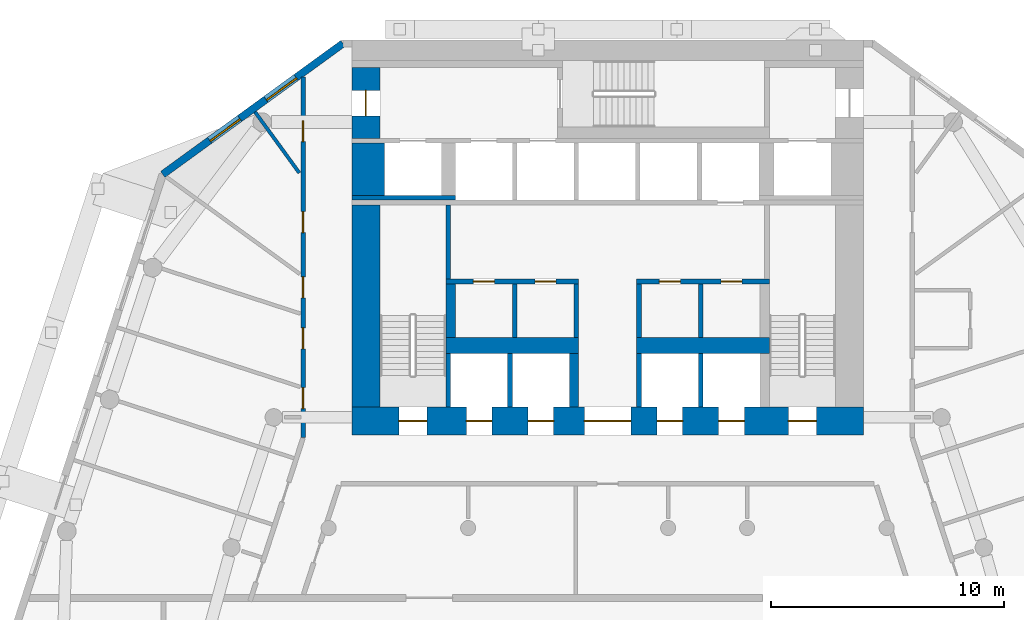
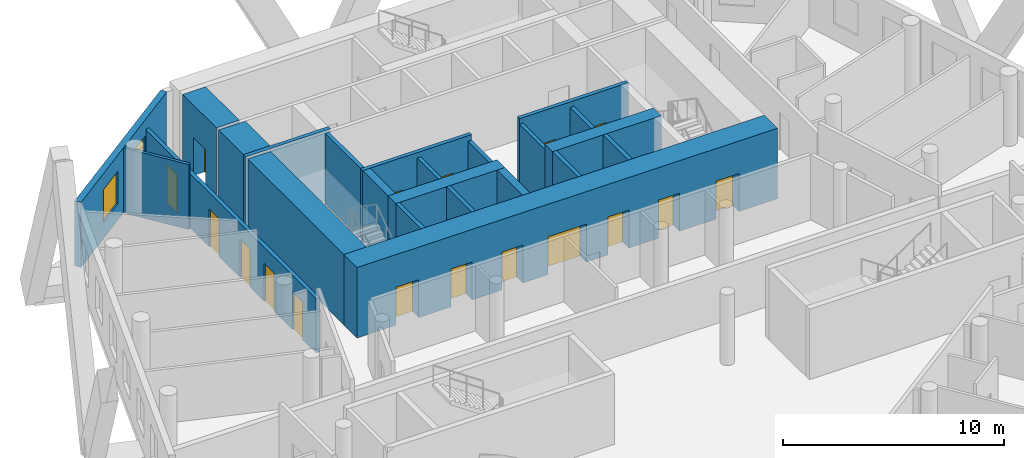
# One storey, part 6 of 10: 23 walls, 17 doors, 2 windows, 19 openings.
"""IFC4 building model written with IfcOpenShell, lengths in metres."""

from ifc_helpers import new_model, si_unit, direction, frame, frame_2d, origin, place, context, subcontext, project, spatial, rectangle, extrude, material, layer, layer_set, type_object, element, fill, save


model = new_model("IFC4")

# Units and contexts
model_context = context("Model", 3, precision=1e-05, world=origin(), true_north=direction((0.0, 1.0)))
body_context = subcontext(model_context, "Body", "Model", "MODEL_VIEW")
ifc_project = project(units=[si_unit("LENGTHUNIT", "METRE"), si_unit("AREAUNIT", "SQUARE_METRE"), si_unit("VOLUMEUNIT", "CUBIC_METRE"), si_unit("PLANEANGLEUNIT", "RADIAN"), si_unit("MASSUNIT", "GRAM", prefix="KILO")], contexts=[model_context])

# Site, building, storey
site_placement = place(None, origin())
site = spatial("IfcSite", under=ifc_project, at=site_placement, CompositionType="ELEMENT")
building_placement = place(site_placement, origin())
building = spatial("IfcBuilding", under=site, at=building_placement, Name="White Candle Pilgrim Tower", CompositionType="ELEMENT")
storey_placement = place(building_placement, frame((0.0, 0.0, 42.89990234375)))
storey = spatial("IfcBuildingStorey", under=building, at=storey_placement, Name="L07", CompositionType="ELEMENT", Elevation=42.89990234375)

# Wall, opening, door
ifc_material_1 = material(Name="Concrete C70/85", Category="concrete")
ifc_layer_1 = layer(ifc_material_1, 1.199951171875)
ifc_layer_set_1 = layer_set([ifc_layer_1], Name="Core wall 1200 mm Concrete C70/85")
wall_type_1 = type_object("IfcWallType", Name="Core wall 1200 mm Concrete C70/85", PredefinedType="SHEAR", material=ifc_layer_set_1)
wall_1_placement = place(storey_placement, frame((59.60009765625, 83.75, 0.0), z_axis=(0.0, 0.0, 1.0), x_axis=(0.0, 1.0, 0.0)))
wall_1 = element("IfcWall", 1, at=wall_1_placement, inside=storey, type_object=wall_type_1, Name="WL-L07-C44", PredefinedType="SHEAR", context=body_context, shape_type="SweptSolid", body=[
    extrude(rectangle(XDim=3.050048828125, YDim=1.199951171875, at=frame_2d((1.52490234375, 0.0))), origin(), (0.0, 0.0, 1.0), 3.900146484375),
])
opening_1_placement = place(wall_1_placement, frame((0.97509765625, 0.0, 0.0)))
opening_1 = element("IfcOpeningElement", 2, at=opening_1_placement, cuts=wall_1, Name="Opening T02-005", PredefinedType="OPENING", context=body_context, shape_type="SweptSolid", body=[
    extrude(rectangle(XDim=1.10009765625, YDim=2.10009765625, at=frame_2d((0.550048828125, 1.050048828125))), frame((0.0, 0.60986328125, 0.0), z_axis=(0.0, -1.0, 0.0), x_axis=(1.0, 0.0, 0.0)), (0.0, 0.0, 1.0), 1.219970703125),
])
ifc_material_2 = material(Name="Steel door leaf", Category="steel")
door_type_1 = type_object("IfcDoorType", Name="Fire door 1100 x 2100 EI 60", OperationType="NOTDEFINED", PredefinedType="DOOR", material=ifc_material_2)
door_1_placement = place(opening_1_placement, origin())
door_1 = element("IfcDoor", 3, at=door_1_placement, inside=storey, type_object=door_type_1, Name="Door T02-005", OperationType="SINGLE_SWING_LEFT", OverallHeight=2.10009765625, OverallWidth=1.10009765625, PredefinedType="DOOR", context=body_context, shape_type="SweptSolid", body=[
    extrude(rectangle(XDim=1.10009765625, YDim=2.10009765625, at=frame_2d((0.550048828125, 1.050048828125))), frame((0.0, 0.02490234375, 0.0), z_axis=(0.0, -1.0, 0.0), x_axis=(1.0, 0.0, 0.0)), (0.0, 0.0, 1.0), 0.050048828125),
])
fill(opening_1, door_1)

# Walls
ifc_layer_2 = layer(ifc_material_1, 1.39990234375)
ifc_layer_set_2 = layer_set([ifc_layer_2], Name="Core wall 1400 mm Concrete C70/85")
wall_type_2 = type_object("IfcWallType", Name="Core wall 1400 mm Concrete C70/85", PredefinedType="SHEAR", material=ifc_layer_set_2)
wall_2_placement = place(storey_placement, frame((59.699951171875, 81.300048828125, 0.0), z_axis=(0.0, 0.0, 1.0), x_axis=(0.0, 1.0, 0.0)))
element("IfcWall", 4, at=wall_2_placement, inside=storey, type_object=wall_type_2, Name="WL-L07-C39", PredefinedType="SHEAR", context=body_context, shape_type="SweptSolid", body=[
    extrude(rectangle(XDim=2.25, YDim=1.39990234375, at=frame_2d((1.125, 0.0))), origin(), (0.0, 0.0, 1.0), 3.900146484375),
])
ifc_layer_3 = layer(ifc_material_1, 0.199951171875)
ifc_layer_set_3 = layer_set([ifc_layer_3], Name="Core wall 200 mm Concrete C70/85")
wall_type_3 = type_object("IfcWallType", Name="Core wall 200 mm Concrete C70/85", PredefinedType="SHEAR", material=ifc_layer_set_3)
wall_3_placement = place(storey_placement, frame((59.0, 81.199951171875, 0.0), z_axis=(0.0, 0.0, 1.0), x_axis=(1.0, 0.0, 0.0)))
element("IfcWall", 5, at=wall_3_placement, inside=storey, type_object=wall_type_3, Name="WL-L07-C33", PredefinedType="SHEAR", context=body_context, shape_type="SweptSolid", body=[
    extrude(rectangle(XDim=4.449951171875, YDim=0.199951171875, at=frame_2d((2.22509765625, 0.0))), origin(), (0.0, 0.0, 1.0), 3.900146484375),
])

# Wall, openings, doors
ifc_material_3 = material(Name="Gypsum board on steel studs", Category="steel")
ifc_layer_4 = layer(ifc_material_3, 0.199951171875)
ifc_layer_set_4 = layer_set([ifc_layer_4], Name="Corridor wall 200 mm EI 45")
wall_type_4 = type_object("IfcWallType", Name="Corridor wall 200 mm EI 45", PredefinedType="PARTITIONING", material=ifc_layer_set_4)
wall_4_placement = place(storey_placement, frame((56.89990234375, 70.8974609375, 0.0), z_axis=(0.0, 0.0, 1.0), x_axis=(0.0, 1.0, 0.0)))
wall_4 = element("IfcWall", 6, at=wall_4_placement, inside=storey, type_object=wall_type_4, Name="WL-L07-P003", PredefinedType="PARTITIONING", context=body_context, shape_type="SweptSolid", body=[
    extrude(rectangle(XDim=15.498779296875, YDim=0.199951171875, at=frame_2d((7.74951171875, 0.0))), origin(), (0.0, 0.0, 1.0), 3.0),
])
opening_2_placement = place(wall_4_placement, frame((1.242919921875, 0.0, 0.0)))
opening_2 = element("IfcOpeningElement", 7, at=opening_2_placement, cuts=wall_4, Name="Opening T02-122", PredefinedType="OPENING", context=body_context, shape_type="SweptSolid", body=[
    extrude(rectangle(XDim=0.89990234375, YDim=2.10009765625, at=frame_2d((0.449951171875, 1.050048828125))), frame((0.0, 0.10986328125, 0.0), z_axis=(0.0, -1.0, 0.0), x_axis=(1.0, 0.0, 0.0)), (0.0, 0.0, 1.0), 0.219970703125),
])
opening_3_placement = place(wall_4_placement, frame((3.813232421875, 0.0, 0.0)))
opening_3 = element("IfcOpeningElement", 8, at=opening_3_placement, cuts=wall_4, Name="Opening T02-123", PredefinedType="OPENING", context=body_context, shape_type="SweptSolid", body=[
    extrude(rectangle(XDim=0.89990234375, YDim=2.10009765625, at=frame_2d((0.449951171875, 1.050048828125))), frame((0.0, 0.10986328125, 0.0), z_axis=(0.0, -1.0, 0.0), x_axis=(1.0, 0.0, 0.0)), (0.0, 0.0, 1.0), 0.219970703125),
])
opening_4_placement = place(wall_4_placement, frame((6.005615234375, 0.0, 0.0)))
opening_4 = element("IfcOpeningElement", 9, at=opening_4_placement, cuts=wall_4, Name="Opening T02-124", PredefinedType="OPENING", context=body_context, shape_type="SweptSolid", body=[
    extrude(rectangle(XDim=0.89990234375, YDim=2.10009765625, at=frame_2d((0.449951171875, 1.050048828125))), frame((0.0, 0.10986328125, 0.0), z_axis=(0.0, -1.0, 0.0), x_axis=(1.0, 0.0, 0.0)), (0.0, 0.0, 1.0), 0.219970703125),
])
opening_5_placement = place(wall_4_placement, frame((8.80615234375, 0.0, 0.0)))
opening_5 = element("IfcOpeningElement", 10, at=opening_5_placement, cuts=wall_4, Name="Opening T02-125", PredefinedType="OPENING", context=body_context, shape_type="SweptSolid", body=[
    extrude(rectangle(XDim=0.89990234375, YDim=2.10009765625, at=frame_2d((0.449951171875, 1.050048828125))), frame((0.0, 0.10986328125, 0.0), z_axis=(0.0, -1.0, 0.0), x_axis=(1.0, 0.0, 0.0)), (0.0, 0.0, 1.0), 0.219970703125),
])
opening_6_placement = place(wall_4_placement, frame((12.72412109375, 0.0, 0.0)))
opening_6 = element("IfcOpeningElement", 11, at=opening_6_placement, cuts=wall_4, Name="Opening T02-126", PredefinedType="OPENING", context=body_context, shape_type="SweptSolid", body=[
    extrude(rectangle(XDim=0.89990234375, YDim=2.10009765625, at=frame_2d((0.449951171875, 1.050048828125))), frame((0.0, 0.10986328125, 0.0), z_axis=(0.0, -1.0, 0.0), x_axis=(1.0, 0.0, 0.0)), (0.0, 0.0, 1.0), 0.219970703125),
])
door_type_2 = type_object("IfcDoorType", Name="Fire door 900 x 2100 EI 30", OperationType="NOTDEFINED", PredefinedType="DOOR", material=ifc_material_2)
door_2_placement = place(opening_2_placement, origin())
door_2 = element("IfcDoor", 12, at=door_2_placement, inside=storey, type_object=door_type_2, Name="Door T02-122", OperationType="SINGLE_SWING_RIGHT", OverallHeight=2.10009765625, OverallWidth=0.89990234375, PredefinedType="DOOR", context=body_context, shape_type="SweptSolid", body=[
    extrude(rectangle(XDim=0.89990234375, YDim=2.10009765625, at=frame_2d((0.449951171875, 1.050048828125))), frame((0.0, 0.02490234375, 0.0), z_axis=(0.0, -1.0, 0.0), x_axis=(1.0, 0.0, 0.0)), (0.0, 0.0, 1.0), 0.050048828125),
])
fill(opening_2, door_2)
door_3_placement = place(opening_3_placement, origin())
door_3 = element("IfcDoor", 13, at=door_3_placement, inside=storey, type_object=door_type_2, Name="Door T02-123", OperationType="SINGLE_SWING_LEFT", OverallHeight=2.10009765625, OverallWidth=0.89990234375, PredefinedType="DOOR", context=body_context, shape_type="SweptSolid", body=[
    extrude(rectangle(XDim=0.89990234375, YDim=2.10009765625, at=frame_2d((0.449951171875, 1.050048828125))), frame((0.0, 0.02490234375, 0.0), z_axis=(0.0, -1.0, 0.0), x_axis=(1.0, 0.0, 0.0)), (0.0, 0.0, 1.0), 0.050048828125),
])
fill(opening_3, door_3)
door_4_placement = place(opening_4_placement, origin())
door_4 = element("IfcDoor", 14, at=door_4_placement, inside=storey, type_object=door_type_2, Name="Door T02-124", OperationType="SINGLE_SWING_RIGHT", OverallHeight=2.10009765625, OverallWidth=0.89990234375, PredefinedType="DOOR", context=body_context, shape_type="SweptSolid", body=[
    extrude(rectangle(XDim=0.89990234375, YDim=2.10009765625, at=frame_2d((0.449951171875, 1.050048828125))), frame((0.0, 0.02490234375, 0.0), z_axis=(0.0, -1.0, 0.0), x_axis=(1.0, 0.0, 0.0)), (0.0, 0.0, 1.0), 0.050048828125),
])
fill(opening_4, door_4)
door_5_placement = place(opening_5_placement, origin())
door_5 = element("IfcDoor", 15, at=door_5_placement, inside=storey, type_object=door_type_2, Name="Door T02-125", OperationType="SINGLE_SWING_LEFT", OverallHeight=2.10009765625, OverallWidth=0.89990234375, PredefinedType="DOOR", context=body_context, shape_type="SweptSolid", body=[
    extrude(rectangle(XDim=0.89990234375, YDim=2.10009765625, at=frame_2d((0.449951171875, 1.050048828125))), frame((0.0, 0.02490234375, 0.0), z_axis=(0.0, -1.0, 0.0), x_axis=(1.0, 0.0, 0.0)), (0.0, 0.0, 1.0), 0.050048828125),
])
fill(opening_5, door_5)
door_6_placement = place(opening_6_placement, origin())
door_6 = element("IfcDoor", 16, at=door_6_placement, inside=storey, type_object=door_type_2, Name="Door T02-126", OperationType="SINGLE_SWING_RIGHT", OverallHeight=2.10009765625, OverallWidth=0.89990234375, PredefinedType="DOOR", context=body_context, shape_type="SweptSolid", body=[
    extrude(rectangle(XDim=0.89990234375, YDim=2.10009765625, at=frame_2d((0.449951171875, 1.050048828125))), frame((0.0, 0.02490234375, 0.0), z_axis=(0.0, -1.0, 0.0), x_axis=(1.0, 0.0, 0.0)), (0.0, 0.0, 1.0), 0.050048828125),
])
fill(opening_6, door_6)

# Wall, openings, windows
ifc_material_4 = material(Name="Precast concrete C40/50", Category="concrete")
ifc_layer_5 = layer(ifc_material_4, 0.320068359375)
ifc_layer_set_5 = layer_set([ifc_layer_5], Name="Facade wall EW1 precast concrete C40/50 pier wall with timber-lined reveals")
wall_type_5 = type_object("IfcWallType", Name="Facade wall EW1 precast concrete C40/50 pier wall with timber-lined reveals", PredefinedType="SOLIDWALL", material=ifc_layer_set_5)
wall_5_placement = place(storey_placement, frame((58.614990234375, 87.840087890625, 0.0), z_axis=(0.0, 0.0, 1.0), x_axis=(-0.809021430096, -0.587779146998, 0.0)))
wall_5 = element("IfcWall", 17, at=wall_5_placement, inside=storey, type_object=wall_type_5, Name="Facade wall L07 NW chamfer", PredefinedType="SOLIDWALL", context=body_context, shape_type="SweptSolid", body=[
    extrude(rectangle(XDim=9.57958984375, YDim=0.320068359375, at=frame_2d((4.789794921875, 0.0))), origin(), (0.0, 0.0, 1.0), 3.60009765625),
])
opening_7_placement = place(wall_5_placement, frame((2.48974609375, 0.0, 0.89990234375)))
opening_7 = element("IfcOpeningElement", 18, at=opening_7_placement, cuts=wall_5, Name="Opening W2", PredefinedType="OPENING", context=body_context, shape_type="SweptSolid", body=[
    extrude(rectangle(XDim=1.60009765625, YDim=1.800048828125, at=frame_2d((0.800048828125, 0.89990234375))), frame((0.0, 0.169921875, 0.0), z_axis=(0.0, -1.0, 0.0), x_axis=(1.0, 0.0, 0.0)), (0.0, 0.0, 1.0), 0.340087890625),
])
opening_8_placement = place(wall_5_placement, frame((5.48974609375, 0.0, 0.89990234375)))
opening_8 = element("IfcOpeningElement", 19, at=opening_8_placement, cuts=wall_5, Name="Opening W2", PredefinedType="OPENING", context=body_context, shape_type="SweptSolid", body=[
    extrude(rectangle(XDim=1.60009765625, YDim=1.800048828125, at=frame_2d((0.800048828125, 0.89990234375))), frame((0.0, 0.169921875, 0.0), z_axis=(0.0, -1.0, 0.0), x_axis=(1.0, 0.0, 0.0)), (0.0, 0.0, 1.0), 0.340087890625),
])
ifc_material_5 = material(Name="Timber frame with triple glazing", Category="wood")
window_type = type_object("IfcWindowType", Name="Window W2 1600x1800 timber frame triple glazing", PartitioningType="SINGLE_PANEL", PredefinedType="WINDOW", material=ifc_material_5)
window_1_placement = place(opening_7_placement, origin())
window_1 = element("IfcWindow", 20, at=window_1_placement, inside=storey, type_object=window_type, Name="Window W2 L07 NW chamfer 1", OverallHeight=1.800048828125, OverallWidth=1.60009765625, PartitioningType="SINGLE_PANEL", PredefinedType="WINDOW", context=body_context, shape_type="SweptSolid", body=[
    extrude(rectangle(XDim=1.60009765625, YDim=1.800048828125, at=frame_2d((0.800048828125, 0.89990234375))), frame((0.0, 0.070068359375, 0.0), z_axis=(0.0, -1.0, 0.0), x_axis=(1.0, 0.0, 0.0)), (0.0, 0.0, 1.0), 0.06005859375),
])
fill(opening_7, window_1)
window_2_placement = place(opening_8_placement, origin())
window_2 = element("IfcWindow", 21, at=window_2_placement, inside=storey, type_object=window_type, Name="Window W2 L07 NW chamfer 2", OverallHeight=1.800048828125, OverallWidth=1.60009765625, PartitioningType="SINGLE_PANEL", PredefinedType="WINDOW", context=body_context, shape_type="SweptSolid", body=[
    extrude(rectangle(XDim=1.60009765625, YDim=1.800048828125, at=frame_2d((0.800048828125, 0.89990234375))), frame((0.0, 0.070068359375, 0.0), z_axis=(0.0, -1.0, 0.0), x_axis=(1.0, 0.0, 0.0)), (0.0, 0.0, 1.0), 0.06005859375),
])
fill(opening_8, window_2)

# Walls
ifc_layer_6 = layer(ifc_material_3, 0.199951171875)
ifc_layer_set_6 = layer_set([ifc_layer_6], Name="Lobby wall 200 mm EI 60")
wall_type_6 = type_object("IfcWallType", Name="Lobby wall 200 mm EI 60", PredefinedType="PARTITIONING", material=ifc_layer_set_6)
for number, where, z_axis, x_axis, name in (
    (22, (66.0, 75.199951171875, 0.0), (0.0, 0.0, 1.0), (0.0, 1.0, 0.0), "WL-L07-C23"),
    (23, (68.64990234375, 75.199951171875, 0.0), (0.0, 0.0, 1.0), (0.0, 1.0, 0.0), "WL-L07-C24"),
    (24, (71.35009765625, 75.199951171875, 0.0), (0.0, 0.0, 1.0), (0.0, 1.0, 0.0), "WL-L07-C25"),
    (25, (74.0, 75.199951171875, 0.0), (0.0, 0.0, 1.0), (0.0, 1.0, 0.0), "WL-L07-C26"),
):
    element("IfcWall", number, at=place(storey_placement, frame(where, z_axis=z_axis, x_axis=x_axis)), inside=storey, type_object=wall_type_6, Name=name, PredefinedType="PARTITIONING", context=body_context, shape_type="SweptSolid", body=[
        extrude(rectangle(XDim=2.300048828125, YDim=0.199951171875, at=frame_2d((1.14990234375, 0.0))), origin(), (0.0, 0.0, 1.0), 3.60009765625),
    ])
ifc_layer_7 = layer(ifc_material_3, 0.14990234375)
ifc_layer_set_7 = layer_set([ifc_layer_7], Name="Partition 150 mm EI 60")
wall_type_7 = type_object("IfcWallType", Name="Partition 150 mm EI 60", PredefinedType="PARTITIONING", material=ifc_layer_set_7)
wall_6_placement = place(storey_placement, frame((54.833984375, 84.895263671875, 0.0), z_axis=(0.0, 0.0, 1.0), x_axis=(0.587795442354, -0.809009590764, 0.0)))
element("IfcWall", 26, at=wall_6_placement, inside=storey, type_object=wall_type_7, Name="WL-L07-P024", PredefinedType="PARTITIONING", context=body_context, shape_type="SweptSolid", body=[
    extrude(rectangle(XDim=3.241455078125, YDim=0.14990234375, at=frame_2d((1.62060546875, 0.0))), origin(), (0.0, 0.0, 1.0), 3.60009765625),
])
ifc_layer_8 = layer(ifc_material_1, 0.199951171875)
ifc_layer_set_8 = layer_set([ifc_layer_8], Name="Shaft wall 200 mm Concrete C70/85")
wall_type_8 = type_object("IfcWallType", Name="Shaft wall 200 mm Concrete C70/85", PredefinedType="SHEAR", material=ifc_layer_set_8)
for number, where, z_axis, x_axis, name in (
    (27, (65.800048828125, 72.199951171875, 0.0), (0.0, 0.0, 1.0), (0.0, 1.0, 0.0), "WL-L07-C14"),
    (28, (71.35009765625, 72.199951171875, 0.0), (0.0, 0.0, 1.0), (0.0, 1.0, 0.0), "WL-L07-C16"),
    (29, (74.0, 72.199951171875, 0.0), (0.0, 0.0, 1.0), (0.0, 1.0, 0.0), "WL-L07-C17"),
):
    element("IfcWall", number, at=place(storey_placement, frame(where, z_axis=z_axis, x_axis=x_axis)), inside=storey, type_object=wall_type_8, Name=name, PredefinedType="SHEAR", context=body_context, shape_type="SweptSolid", body=[
        extrude(rectangle(XDim=2.300048828125, YDim=0.199951171875, at=frame_2d((1.14990234375, 0.0))), origin(), (0.0, 0.0, 1.0), 3.900146484375),
    ])
ifc_layer_9 = layer(ifc_material_1, 0.39990234375)
ifc_layer_set_9 = layer_set([ifc_layer_9], Name="Shaft wall 400 mm Concrete C70/85")
wall_type_9 = type_object("IfcWallType", Name="Shaft wall 400 mm Concrete C70/85", PredefinedType="SHEAR", material=ifc_layer_set_9)
wall_7_placement = place(storey_placement, frame((68.550048828125, 72.199951171875, 0.0), z_axis=(0.0, 0.0, 1.0), x_axis=(0.0, 1.0, 0.0)))
element("IfcWall", 30, at=wall_7_placement, inside=storey, type_object=wall_type_9, Name="WL-L07-C15", PredefinedType="SHEAR", context=body_context, shape_type="SweptSolid", body=[
    extrude(rectangle(XDim=2.300048828125, YDim=0.39990234375, at=frame_2d((1.14990234375, 0.0))), origin(), (0.0, 0.0, 1.0), 3.900146484375),
])

# Wall, openings, doors
ifc_layer_10 = layer(ifc_material_1, 1.199951171875)
ifc_layer_set_10 = layer_set([ifc_layer_10], Name="Stair shaft wall 1200 mm Concrete C70/85")
wall_type_10 = type_object("IfcWallType", Name="Stair shaft wall 1200 mm Concrete C70/85", PredefinedType="SHEAR", material=ifc_layer_set_10)
wall_8_placement = place(storey_placement, frame((59.0, 71.60009765625, 0.0), z_axis=(0.0, 0.0, 1.0), x_axis=(1.0, 0.0, 0.0)))
wall_8 = element("IfcWall", 31, at=wall_8_placement, inside=storey, type_object=wall_type_10, Name="WL-L07-C11", PredefinedType="SHEAR", context=body_context, shape_type="SweptSolid", body=[
    extrude(rectangle(XDim=22.0, YDim=1.199951171875, at=frame_2d((11.0, 0.0))), origin(), (0.0, 0.0, 1.0), 3.900146484375),
])
opening_9_placement = place(wall_8_placement, frame((2.02490234375, 0.0, 0.0)))
opening_9 = element("IfcOpeningElement", 32, at=opening_9_placement, cuts=wall_8, Name="Opening T02-001", PredefinedType="OPENING", context=body_context, shape_type="SweptSolid", body=[
    extrude(rectangle(XDim=1.199951171875, YDim=2.10009765625, at=frame_2d((0.60009765625, 1.050048828125))), frame((0.0, 0.60986328125, 0.0), z_axis=(0.0, -1.0, 0.0), x_axis=(1.0, 0.0, 0.0)), (0.0, 0.0, 1.0), 1.219970703125),
])
opening_10_placement = place(wall_8_placement, frame((18.77490234375, 0.0, 0.0)))
opening_10 = element("IfcOpeningElement", 33, at=opening_10_placement, cuts=wall_8, Name="Opening T02-002", PredefinedType="OPENING", context=body_context, shape_type="SweptSolid", body=[
    extrude(rectangle(XDim=1.199951171875, YDim=2.10009765625, at=frame_2d((0.60009765625, 1.050048828125))), frame((0.0, 0.60986328125, 0.0), z_axis=(0.0, -1.0, 0.0), x_axis=(1.0, 0.0, 0.0)), (0.0, 0.0, 1.0), 1.219970703125),
])
opening_11_placement = place(wall_8_placement, frame((10.0, 0.0, 0.0)))
opening_11 = element("IfcOpeningElement", 34, at=opening_11_placement, cuts=wall_8, Name="Opening T02-004", PredefinedType="OPENING", context=body_context, shape_type="SweptSolid", body=[
    extrude(rectangle(XDim=2.0, YDim=2.10009765625, at=frame_2d((1.0, 1.050048828125))), frame((0.0, 0.60986328125, 0.0), z_axis=(0.0, -1.0, 0.0), x_axis=(1.0, 0.0, 0.0)), (0.0, 0.0, 1.0), 1.219970703125),
])
opening_12_placement = place(wall_8_placement, frame((4.925048828125, 0.0, 0.0)))
opening_12 = element("IfcOpeningElement", 35, at=opening_12_placement, cuts=wall_8, Name="Opening T02-014", PredefinedType="OPENING", context=body_context, shape_type="SweptSolid", body=[
    extrude(rectangle(XDim=1.10009765625, YDim=2.10009765625, at=frame_2d((0.550048828125, 1.050048828125))), frame((0.0, 0.60986328125, 0.0), z_axis=(0.0, -1.0, 0.0), x_axis=(1.0, 0.0, 0.0)), (0.0, 0.0, 1.0), 1.219970703125),
])
opening_13_placement = place(wall_8_placement, frame((7.574951171875, 0.0, 0.0)))
opening_13 = element("IfcOpeningElement", 36, at=opening_13_placement, cuts=wall_8, Name="Opening T02-015", PredefinedType="OPENING", context=body_context, shape_type="SweptSolid", body=[
    extrude(rectangle(XDim=1.10009765625, YDim=2.10009765625, at=frame_2d((0.550048828125, 1.050048828125))), frame((0.0, 0.60986328125, 0.0), z_axis=(0.0, -1.0, 0.0), x_axis=(1.0, 0.0, 0.0)), (0.0, 0.0, 1.0), 1.219970703125),
])
opening_14_placement = place(wall_8_placement, frame((13.125, 0.0, 0.0)))
opening_14 = element("IfcOpeningElement", 37, at=opening_14_placement, cuts=wall_8, Name="Opening T02-016", PredefinedType="OPENING", context=body_context, shape_type="SweptSolid", body=[
    extrude(rectangle(XDim=1.10009765625, YDim=2.10009765625, at=frame_2d((0.550048828125, 1.050048828125))), frame((0.0, 0.60986328125, 0.0), z_axis=(0.0, -1.0, 0.0), x_axis=(1.0, 0.0, 0.0)), (0.0, 0.0, 1.0), 1.219970703125),
])
opening_15_placement = place(wall_8_placement, frame((15.77490234375, 0.0, 0.0)))
opening_15 = element("IfcOpeningElement", 38, at=opening_15_placement, cuts=wall_8, Name="Opening T02-017", PredefinedType="OPENING", context=body_context, shape_type="SweptSolid", body=[
    extrude(rectangle(XDim=1.10009765625, YDim=2.10009765625, at=frame_2d((0.550048828125, 1.050048828125))), frame((0.0, 0.60986328125, 0.0), z_axis=(0.0, -1.0, 0.0), x_axis=(1.0, 0.0, 0.0)), (0.0, 0.0, 1.0), 1.219970703125),
])
door_type_3 = type_object("IfcDoorType", Name="Fire door 1200 x 2100 EI 60", OperationType="NOTDEFINED", PredefinedType="DOOR", material=ifc_material_2)
door_7_placement = place(opening_9_placement, frame((1.199951171875, 0.0, 0.0), z_axis=(0.0, 0.0, 1.0), x_axis=(-1.0, 0.0, 0.0)))
door_7 = element("IfcDoor", 39, at=door_7_placement, inside=storey, type_object=door_type_3, Name="Door T02-001", OperationType="SINGLE_SWING_RIGHT", OverallHeight=2.10009765625, OverallWidth=1.199951171875, PredefinedType="DOOR", context=body_context, shape_type="SweptSolid", body=[
    extrude(rectangle(XDim=1.199951171875, YDim=2.10009765625, at=frame_2d((0.60009765625, 1.050048828125))), frame((0.0, 0.02490234375, 0.0), z_axis=(0.0, -1.0, 0.0), x_axis=(1.0, 0.0, 0.0)), (0.0, 0.0, 1.0), 0.050048828125),
])
fill(opening_9, door_7)
door_8_placement = place(opening_10_placement, frame((1.199951171875, 0.0, 0.0), z_axis=(0.0, 0.0, 1.0), x_axis=(-1.0, 0.0, 0.0)))
door_8 = element("IfcDoor", 40, at=door_8_placement, inside=storey, type_object=door_type_3, Name="Door T02-002", OperationType="SINGLE_SWING_LEFT", OverallHeight=2.10009765625, OverallWidth=1.199951171875, PredefinedType="DOOR", context=body_context, shape_type="SweptSolid", body=[
    extrude(rectangle(XDim=1.199951171875, YDim=2.10009765625, at=frame_2d((0.60009765625, 1.050048828125))), frame((0.0, 0.02490234375, 0.0), z_axis=(0.0, -1.0, 0.0), x_axis=(1.0, 0.0, 0.0)), (0.0, 0.0, 1.0), 0.050048828125),
])
fill(opening_10, door_8)
door_type_4 = type_object("IfcDoorType", Name="Fire door 2000 x 2100 EI 60", OperationType="NOTDEFINED", PredefinedType="DOOR", material=ifc_material_2)
door_9_placement = place(opening_11_placement, frame((2.0, 0.0, 0.0), z_axis=(0.0, 0.0, 1.0), x_axis=(-1.0, 0.0, 0.0)))
door_9 = element("IfcDoor", 41, at=door_9_placement, inside=storey, type_object=door_type_4, Name="Door T02-004", OperationType="DOUBLE_DOOR_SINGLE_SWING", OverallHeight=2.10009765625, OverallWidth=2.0, PredefinedType="DOOR", context=body_context, shape_type="SweptSolid", body=[
    extrude(rectangle(XDim=2.0, YDim=2.10009765625, at=frame_2d((1.0, 1.050048828125))), frame((0.0, 0.02490234375, 0.0), z_axis=(0.0, -1.0, 0.0), x_axis=(1.0, 0.0, 0.0)), (0.0, 0.0, 1.0), 0.050048828125),
])
fill(opening_11, door_9)
ifc_material_6 = material(Name="Stainless steel", Category="steel")
door_type_5 = type_object("IfcDoorType", Name="Lift landing door 1100 x 2100 E 60", OperationType="DOUBLE_DOOR_SLIDING", PredefinedType="DOOR", material=ifc_material_6)
door_10_placement = place(opening_12_placement, origin())
door_10 = element("IfcDoor", 42, at=door_10_placement, inside=storey, type_object=door_type_5, Name="Door T02-014", OperationType="DOUBLE_DOOR_SLIDING", OverallHeight=2.10009765625, OverallWidth=1.10009765625, PredefinedType="DOOR", context=body_context, shape_type="SweptSolid", body=[
    extrude(rectangle(XDim=1.10009765625, YDim=2.10009765625, at=frame_2d((0.550048828125, 1.050048828125))), frame((0.0, 0.02490234375, 0.0), z_axis=(0.0, -1.0, 0.0), x_axis=(1.0, 0.0, 0.0)), (0.0, 0.0, 1.0), 0.050048828125),
])
fill(opening_12, door_10)
door_11_placement = place(opening_13_placement, origin())
door_11 = element("IfcDoor", 43, at=door_11_placement, inside=storey, type_object=door_type_5, Name="Door T02-015", OperationType="DOUBLE_DOOR_SLIDING", OverallHeight=2.10009765625, OverallWidth=1.10009765625, PredefinedType="DOOR", context=body_context, shape_type="SweptSolid", body=[
    extrude(rectangle(XDim=1.10009765625, YDim=2.10009765625, at=frame_2d((0.550048828125, 1.050048828125))), frame((0.0, 0.02490234375, 0.0), z_axis=(0.0, -1.0, 0.0), x_axis=(1.0, 0.0, 0.0)), (0.0, 0.0, 1.0), 0.050048828125),
])
fill(opening_13, door_11)
door_12_placement = place(opening_14_placement, origin())
door_12 = element("IfcDoor", 44, at=door_12_placement, inside=storey, type_object=door_type_5, Name="Door T02-016", OperationType="DOUBLE_DOOR_SLIDING", OverallHeight=2.10009765625, OverallWidth=1.10009765625, PredefinedType="DOOR", context=body_context, shape_type="SweptSolid", body=[
    extrude(rectangle(XDim=1.10009765625, YDim=2.10009765625, at=frame_2d((0.550048828125, 1.050048828125))), frame((0.0, 0.02490234375, 0.0), z_axis=(0.0, -1.0, 0.0), x_axis=(1.0, 0.0, 0.0)), (0.0, 0.0, 1.0), 0.050048828125),
])
fill(opening_14, door_12)
door_13_placement = place(opening_15_placement, origin())
door_13 = element("IfcDoor", 45, at=door_13_placement, inside=storey, type_object=door_type_5, Name="Door T02-017", OperationType="DOUBLE_DOOR_SLIDING", OverallHeight=2.10009765625, OverallWidth=1.10009765625, PredefinedType="DOOR", context=body_context, shape_type="SweptSolid", body=[
    extrude(rectangle(XDim=1.10009765625, YDim=2.10009765625, at=frame_2d((0.550048828125, 1.050048828125))), frame((0.0, 0.02490234375, 0.0), z_axis=(0.0, -1.0, 0.0), x_axis=(1.0, 0.0, 0.0)), (0.0, 0.0, 1.0), 0.050048828125),
])
fill(opening_15, door_13)

# Walls
wall_9_placement = place(storey_placement, frame((59.60009765625, 72.199951171875, 0.0), z_axis=(0.0, 0.0, 1.0), x_axis=(0.0, 1.0, 0.0)))
element("IfcWall", 46, at=wall_9_placement, inside=storey, type_object=wall_type_10, Name="WL-L07-C12", PredefinedType="SHEAR", context=body_context, shape_type="SweptSolid", body=[
    extrude(rectangle(XDim=8.699951171875, YDim=1.199951171875, at=frame_2d((4.35009765625, 0.0))), origin(), (0.0, 0.0, 1.0), 3.900146484375),
])
ifc_layer_11 = layer(ifc_material_1, 0.199951171875)
ifc_layer_set_11 = layer_set([ifc_layer_11], Name="Stair shaft wall 200 mm Concrete C70/85")
wall_type_11 = type_object("IfcWallType", Name="Stair shaft wall 200 mm Concrete C70/85", PredefinedType="SHEAR", material=ifc_layer_set_11)
wall_10_placement = place(storey_placement, frame((63.14990234375, 72.199951171875, 0.0), z_axis=(0.0, 0.0, 1.0), x_axis=(0.0, 1.0, 0.0)))
element("IfcWall", 47, at=wall_10_placement, inside=storey, type_object=wall_type_11, Name="WL-L07-C13", PredefinedType="SHEAR", context=body_context, shape_type="SweptSolid", body=[
    extrude(rectangle(XDim=2.300048828125, YDim=0.199951171875, at=frame_2d((1.14990234375, 0.0))), origin(), (0.0, 0.0, 1.0), 3.900146484375),
])

# Wall, openings, doors
wall_11_placement = place(storey_placement, frame((63.050048828125, 77.60009765625, 0.0), z_axis=(0.0, 0.0, 1.0), x_axis=(1.0, 0.0, 0.0)))
wall_11 = element("IfcWall", 48, at=wall_11_placement, inside=storey, type_object=wall_type_11, Name="WL-L07-C28", PredefinedType="SHEAR", context=body_context, shape_type="SweptSolid", body=[
    extrude(rectangle(XDim=5.699951171875, YDim=0.199951171875, at=frame_2d((2.85009765625, 0.0))), origin(), (0.0, 0.0, 1.0), 3.900146484375),
])
opening_16_placement = place(wall_11_placement, frame((1.175048828125, 0.0, 0.0)))
opening_16 = element("IfcOpeningElement", 49, at=opening_16_placement, cuts=wall_11, Name="Opening T02-020", PredefinedType="OPENING", context=body_context, shape_type="SweptSolid", body=[
    extrude(rectangle(XDim=0.89990234375, YDim=2.10009765625, at=frame_2d((0.449951171875, 1.050048828125))), frame((0.0, 0.10986328125, 0.0), z_axis=(0.0, -1.0, 0.0), x_axis=(1.0, 0.0, 0.0)), (0.0, 0.0, 1.0), 0.219970703125),
])
opening_17_placement = place(wall_11_placement, frame((3.824951171875, 0.0, 0.0)))
opening_17 = element("IfcOpeningElement", 50, at=opening_17_placement, cuts=wall_11, Name="Opening T02-021", PredefinedType="OPENING", context=body_context, shape_type="SweptSolid", body=[
    extrude(rectangle(XDim=0.89990234375, YDim=2.10009765625, at=frame_2d((0.449951171875, 1.050048828125))), frame((0.0, 0.10986328125, 0.0), z_axis=(0.0, -1.0, 0.0), x_axis=(1.0, 0.0, 0.0)), (0.0, 0.0, 1.0), 0.219970703125),
])
door_14_placement = place(opening_16_placement, origin())
door_14 = element("IfcDoor", 51, at=door_14_placement, inside=storey, type_object=door_type_2, Name="Door T02-020", OperationType="SINGLE_SWING_RIGHT", OverallHeight=2.10009765625, OverallWidth=0.89990234375, PredefinedType="DOOR", context=body_context, shape_type="SweptSolid", body=[
    extrude(rectangle(XDim=0.89990234375, YDim=2.10009765625, at=frame_2d((0.449951171875, 1.050048828125))), frame((0.0, 0.02490234375, 0.0), z_axis=(0.0, -1.0, 0.0), x_axis=(1.0, 0.0, 0.0)), (0.0, 0.0, 1.0), 0.050048828125),
])
fill(opening_16, door_14)
door_15_placement = place(opening_17_placement, origin())
door_15 = element("IfcDoor", 52, at=door_15_placement, inside=storey, type_object=door_type_2, Name="Door T02-021", OperationType="SINGLE_SWING_LEFT", OverallHeight=2.10009765625, OverallWidth=0.89990234375, PredefinedType="DOOR", context=body_context, shape_type="SweptSolid", body=[
    extrude(rectangle(XDim=0.89990234375, YDim=2.10009765625, at=frame_2d((0.449951171875, 1.050048828125))), frame((0.0, 0.02490234375, 0.0), z_axis=(0.0, -1.0, 0.0), x_axis=(1.0, 0.0, 0.0)), (0.0, 0.0, 1.0), 0.050048828125),
])
fill(opening_17, door_15)

wall_12_placement = place(storey_placement, frame((71.25, 77.60009765625, 0.0), z_axis=(0.0, 0.0, 1.0), x_axis=(1.0, 0.0, 0.0)))
wall_12 = element("IfcWall", 53, at=wall_12_placement, inside=storey, type_object=wall_type_11, Name="WL-L07-C29", PredefinedType="SHEAR", context=body_context, shape_type="SweptSolid", body=[
    extrude(rectangle(XDim=5.699951171875, YDim=0.199951171875, at=frame_2d((2.85009765625, 0.0))), origin(), (0.0, 0.0, 1.0), 3.900146484375),
])
opening_18_placement = place(wall_12_placement, frame((0.97509765625, 0.0, 0.0)))
opening_18 = element("IfcOpeningElement", 54, at=opening_18_placement, cuts=wall_12, Name="Opening T02-022", PredefinedType="OPENING", context=body_context, shape_type="SweptSolid", body=[
    extrude(rectangle(XDim=0.89990234375, YDim=2.10009765625, at=frame_2d((0.449951171875, 1.050048828125))), frame((0.0, 0.10986328125, 0.0), z_axis=(0.0, -1.0, 0.0), x_axis=(1.0, 0.0, 0.0)), (0.0, 0.0, 1.0), 0.219970703125),
])
opening_19_placement = place(wall_12_placement, frame((3.625, 0.0, 0.0)))
opening_19 = element("IfcOpeningElement", 55, at=opening_19_placement, cuts=wall_12, Name="Opening T02-023", PredefinedType="OPENING", context=body_context, shape_type="SweptSolid", body=[
    extrude(rectangle(XDim=0.89990234375, YDim=2.10009765625, at=frame_2d((0.449951171875, 1.050048828125))), frame((0.0, 0.10986328125, 0.0), z_axis=(0.0, -1.0, 0.0), x_axis=(1.0, 0.0, 0.0)), (0.0, 0.0, 1.0), 0.219970703125),
])
door_16_placement = place(opening_18_placement, origin())
door_16 = element("IfcDoor", 56, at=door_16_placement, inside=storey, type_object=door_type_2, Name="Door T02-022", OperationType="SINGLE_SWING_RIGHT", OverallHeight=2.10009765625, OverallWidth=0.89990234375, PredefinedType="DOOR", context=body_context, shape_type="SweptSolid", body=[
    extrude(rectangle(XDim=0.89990234375, YDim=2.10009765625, at=frame_2d((0.449951171875, 1.050048828125))), frame((0.0, 0.02490234375, 0.0), z_axis=(0.0, -1.0, 0.0), x_axis=(1.0, 0.0, 0.0)), (0.0, 0.0, 1.0), 0.050048828125),
])
fill(opening_18, door_16)
door_17_placement = place(opening_19_placement, origin())
door_17 = element("IfcDoor", 57, at=door_17_placement, inside=storey, type_object=door_type_2, Name="Door T02-023", OperationType="SINGLE_SWING_LEFT", OverallHeight=2.10009765625, OverallWidth=0.89990234375, PredefinedType="DOOR", context=body_context, shape_type="SweptSolid", body=[
    extrude(rectangle(XDim=0.89990234375, YDim=2.10009765625, at=frame_2d((0.449951171875, 1.050048828125))), frame((0.0, 0.02490234375, 0.0), z_axis=(0.0, -1.0, 0.0), x_axis=(1.0, 0.0, 0.0)), (0.0, 0.0, 1.0), 0.050048828125),
])
fill(opening_19, door_17)

# Walls
wall_13_placement = place(storey_placement, frame((63.14990234375, 77.699951171875, 0.0), z_axis=(0.0, 0.0, 1.0), x_axis=(0.0, 1.0, 0.0)))
element("IfcWall", 58, at=wall_13_placement, inside=storey, type_object=wall_type_11, Name="WL-L07-C30", PredefinedType="SHEAR", context=body_context, shape_type="SweptSolid", body=[
    extrude(rectangle(XDim=3.199951171875, YDim=0.199951171875, at=frame_2d((1.60009765625, 0.0))), origin(), (0.0, 0.0, 1.0), 3.900146484375),
])
ifc_layer_12 = layer(ifc_material_1, 0.39990234375)
ifc_layer_set_12 = layer_set([ifc_layer_12], Name="Stair shaft wall 400 mm Concrete C70/85")
wall_type_12 = type_object("IfcWallType", Name="Stair shaft wall 400 mm Concrete C70/85", PredefinedType="SHEAR", material=ifc_layer_set_12)
wall_14_placement = place(storey_placement, frame((63.25, 75.199951171875, 0.0), z_axis=(0.0, 0.0, 1.0), x_axis=(0.0, 1.0, 0.0)))
element("IfcWall", 59, at=wall_14_placement, inside=storey, type_object=wall_type_12, Name="WL-L07-C22", PredefinedType="SHEAR", context=body_context, shape_type="SweptSolid", body=[
    extrude(rectangle(XDim=2.300048828125, YDim=0.39990234375, at=frame_2d((1.14990234375, 0.0))), origin(), (0.0, 0.0, 1.0), 3.900146484375),
])
ifc_layer_13 = layer(ifc_material_1, 0.699951171875)
ifc_layer_set_13 = layer_set([ifc_layer_13], Name="Stair shaft wall 700 mm Concrete C70/85")
wall_type_13 = type_object("IfcWallType", Name="Stair shaft wall 700 mm Concrete C70/85", PredefinedType="SHEAR", material=ifc_layer_set_13)
for number, where, z_axis, x_axis, name in (
    (60, (63.050048828125, 74.85009765625, 0.0), (0.0, 0.0, 1.0), (1.0, 0.0, 0.0), "WL-L07-C20"),
    (61, (71.25, 74.85009765625, 0.0), (0.0, 0.0, 1.0), (1.0, 0.0, 0.0), "WL-L07-C21"),
):
    element("IfcWall", number, at=place(storey_placement, frame(where, z_axis=z_axis, x_axis=x_axis)), inside=storey, type_object=wall_type_13, Name=name, PredefinedType="SHEAR", context=body_context, shape_type="SweptSolid", body=[
        extrude(rectangle(XDim=5.699951171875, YDim=0.699951171875, at=frame_2d((2.85009765625, 0.0))), origin(), (0.0, 0.0, 1.0), 3.900146484375),
    ])

save(model, "model.ifc")
